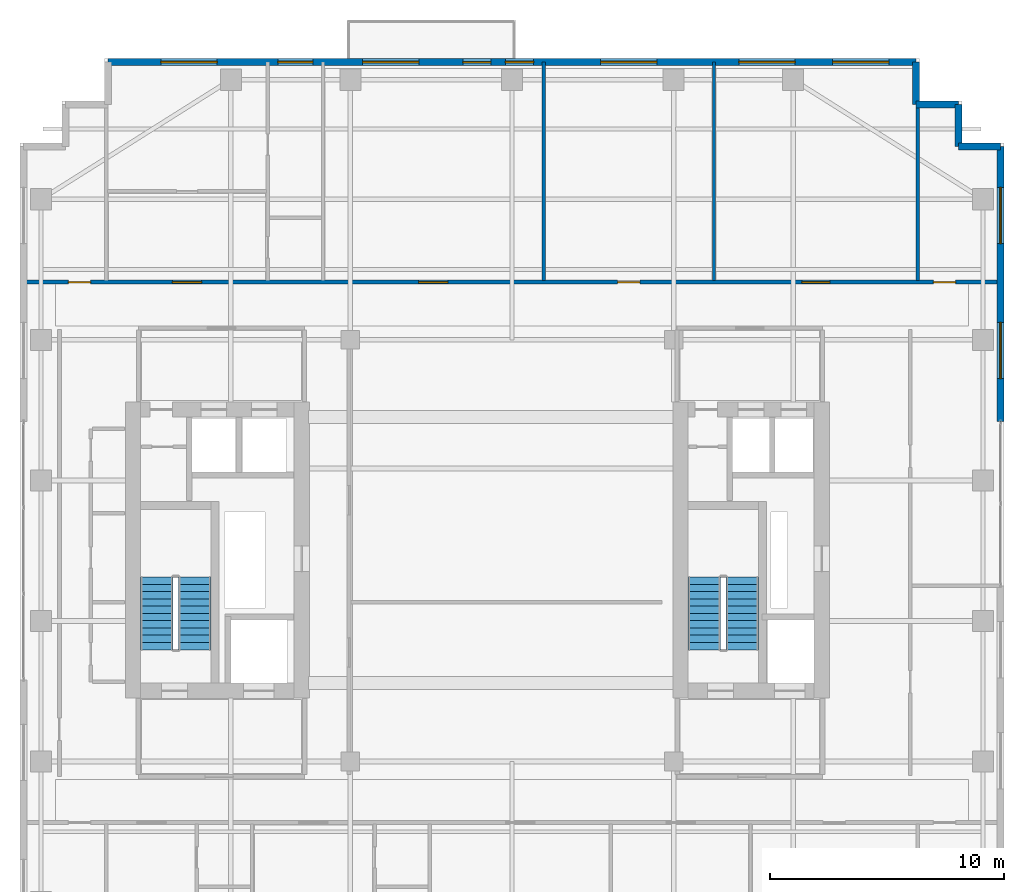
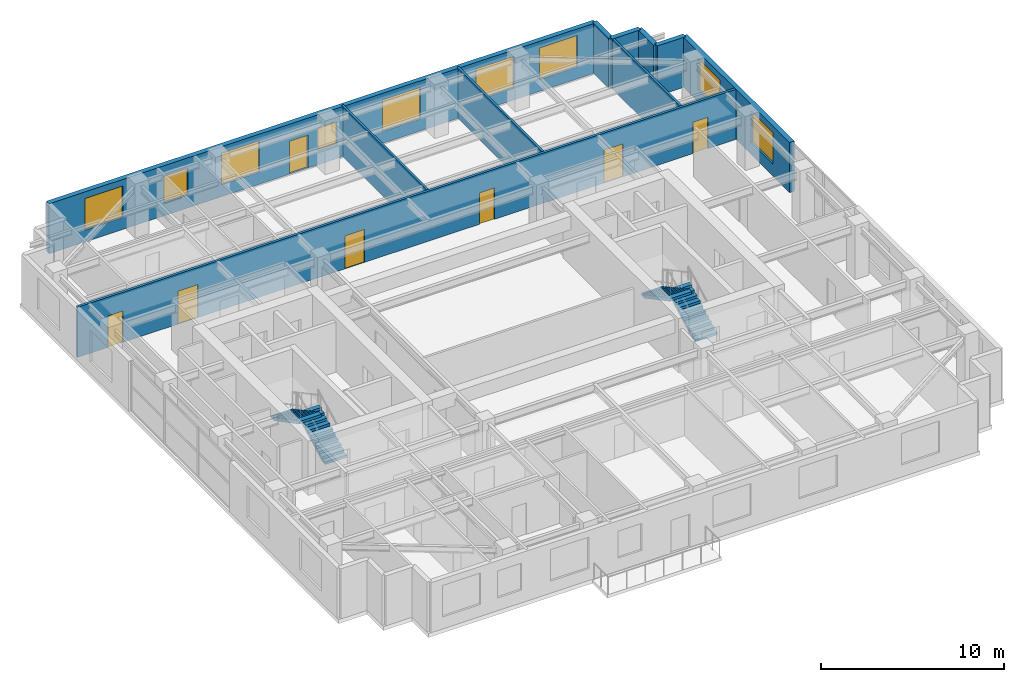
# One storey, part 12 of 15: 10 walls, 9 windows, 7 doors, 4 stair flights, 16 openings, 2 elements without a shape of their own.
"""IFC4 building model written with IfcOpenShell, lengths in metres."""

from ifc_helpers import new_model, si_unit, direction, frame, frame_2d, origin, place, context, subcontext, project, spatial, polyline, rectangle, outline, extrude, source, transform, mapped, material, layer, layer_set, type_object, element, fill, aggregate, save


model = new_model("IFC4")

# Units and contexts
model_context = context("Model", 3, precision=1e-05, world=origin(), true_north=direction((0.0, 1.0)))
body_context = subcontext(model_context, "Body", "Model", "MODEL_VIEW")
ifc_project = project(units=[si_unit("LENGTHUNIT", "METRE"), si_unit("AREAUNIT", "SQUARE_METRE"), si_unit("VOLUMEUNIT", "CUBIC_METRE"), si_unit("PLANEANGLEUNIT", "RADIAN"), si_unit("MASSUNIT", "GRAM", prefix="KILO")], contexts=[model_context])

# Site, building, storey
site_placement = place(None, origin())
site = spatial("IfcSite", under=ifc_project, at=site_placement, CompositionType="ELEMENT")
building_placement = place(site_placement, origin())
building = spatial("IfcBuilding", under=site, at=building_placement, Name="Khoralis Quay Care Tower", CompositionType="ELEMENT")
storey_placement = place(building_placement, frame((0.0, 0.0, 162.89990234375)))
storey = spatial("IfcBuildingStorey", under=building, at=storey_placement, Name="L42", CompositionType="ELEMENT", Elevation=162.89990234375)

# Wall, openings, doors
ifc_material_1 = material(Name="Gypsum plasterboard on acoustic metal stud")
ifc_layer_1 = layer(ifc_material_1, 0.1650390625)
ifc_layer_set_1 = layer_set([ifc_layer_1], Name="Gypsum plasterboard on acoustic metal stud")
wall_type_1 = type_object("IfcWallType", Name="WL-CORR-165", PredefinedType="PARTITIONING", material=ifc_layer_set_1)
wall_1_placement = place(storey_placement, frame((3.14501953125, 32.4599609375, 0.0), z_axis=(0.0, 0.0, 1.0), x_axis=(1.0, 0.0, 0.0)))
wall_1 = element("IfcWall", 1, at=wall_1_placement, inside=storey, type_object=wall_type_1, Name="L42 North Main Corridor Wall", PredefinedType="PARTITIONING", context=body_context, shape_type="SweptSolid", body=[
    extrude(rectangle(XDim=41.7099609375, YDim=0.1650390625, at=frame_2d((20.85498046875, 0.0))), origin(), (0.0, 0.0, 1.0), 3.340087890625),
])
opening_1_placement = place(wall_1_placement, frame((6.360107421875, 0.0, 0.0)))
opening_1 = element("IfcOpeningElement", 2, at=opening_1_placement, cuts=wall_1, Name="Opening CD1", PredefinedType="OPENING", context=body_context, shape_type="SweptSolid", body=[
    extrude(rectangle(XDim=1.25, YDim=2.199951171875, at=frame_2d((0.625, 1.10009765625))), frame((0.0, 0.092529296875, 0.0), z_axis=(0.0, -1.0, 0.0), x_axis=(1.0, 0.0, 0.0)), (0.0, 0.0, 1.0), 0.18505859375),
])
opening_2_placement = place(wall_1_placement, frame((16.8701171875, 0.0, 0.0)))
opening_2 = element("IfcOpeningElement", 3, at=opening_2_placement, cuts=wall_1, Name="Opening CD1", PredefinedType="OPENING", context=body_context, shape_type="SweptSolid", body=[
    extrude(rectangle(XDim=1.25, YDim=2.199951171875, at=frame_2d((0.625, 1.10009765625))), frame((0.0, 0.092529296875, 0.0), z_axis=(0.0, -1.0, 0.0), x_axis=(1.0, 0.0, 0.0)), (0.0, 0.0, 1.0), 0.18505859375),
])
opening_3_placement = place(wall_1_placement, frame((25.364990234375, 0.0, 0.0)))
opening_3 = element("IfcOpeningElement", 4, at=opening_3_placement, cuts=wall_1, Name="Opening ID1", PredefinedType="OPENING", context=body_context, shape_type="SweptSolid", body=[
    extrude(rectangle(XDim=0.949951171875, YDim=2.10009765625, at=frame_2d((0.47509765625, 1.050048828125))), frame((0.0, 0.092529296875, 0.0), z_axis=(0.0, -1.0, 0.0), x_axis=(1.0, 0.0, 0.0)), (0.0, 0.0, 1.0), 0.18505859375),
])
opening_4_placement = place(wall_1_placement, frame((33.22509765625, 0.0, 0.0)))
opening_4 = element("IfcOpeningElement", 5, at=opening_4_placement, cuts=wall_1, Name="Opening FD1", PredefinedType="OPENING", context=body_context, shape_type="SweptSolid", body=[
    extrude(rectangle(XDim=1.199951171875, YDim=2.199951171875, at=frame_2d((0.60009765625, 1.10009765625))), frame((0.0, 0.092529296875, 0.0), z_axis=(0.0, -1.0, 0.0), x_axis=(1.0, 0.0, 0.0)), (0.0, 0.0, 1.0), 0.18505859375),
])
opening_5_placement = place(wall_1_placement, frame((1.919921875, 0.0, 0.0)))
opening_5 = element("IfcOpeningElement", 6, at=opening_5_placement, cuts=wall_1, Name="Opening ID1", PredefinedType="OPENING", context=body_context, shape_type="SweptSolid", body=[
    extrude(rectangle(XDim=0.949951171875, YDim=2.10009765625, at=frame_2d((0.47509765625, 1.050048828125))), frame((0.0, 0.092529296875, 0.0), z_axis=(0.0, -1.0, 0.0), x_axis=(1.0, 0.0, 0.0)), (0.0, 0.0, 1.0), 0.18505859375),
])
opening_6_placement = place(wall_1_placement, frame((38.840087890625, 0.0, 0.0)))
opening_6 = element("IfcOpeningElement", 7, at=opening_6_placement, cuts=wall_1, Name="Opening ID1", PredefinedType="OPENING", context=body_context, shape_type="SweptSolid", body=[
    extrude(rectangle(XDim=0.949951171875, YDim=2.10009765625, at=frame_2d((0.47509765625, 1.050048828125))), frame((0.0, 0.092529296875, 0.0), z_axis=(0.0, -1.0, 0.0), x_axis=(1.0, 0.0, 0.0)), (0.0, 0.0, 1.0), 0.18505859375),
])
ifc_material_2 = material(Name="Fire-rated painted steel", Category="steel")
door_type_1 = type_object("IfcDoorType", Name="DR-FFL-1200X2200", OperationType="NOTDEFINED", PredefinedType="DOOR", material=ifc_material_2)
shared_shape_1 = source(origin(), body_context, "Body", "SweptSolid", [
    extrude(rectangle(XDim=1.199951171875, YDim=2.199951171875, at=frame_2d((0.60009765625, 1.10009765625))), frame((0.0, 0.02490234375, 0.0), z_axis=(0.0, -1.0, 0.0), x_axis=(1.0, 0.0, 0.0)), (0.0, 0.0, 1.0), 0.050048828125),
])
door_1_placement = place(opening_4_placement, origin())
door_1 = element("IfcDoor", 8, at=door_1_placement, inside=storey, type_object=door_type_1, Name="L42 Assisted Communal Dining Room Door", OperationType="DOUBLE_DOOR_SINGLE_SWING", OverallHeight=2.199951171875, OverallWidth=1.199951171875, PredefinedType="DOOR", context=body_context, shape_type="MappedRepresentation", body=[
    mapped(shared_shape_1, transform((0.0, 0.0, 0.0), scale=1.0)),
])
fill(opening_4, door_1)
ifc_material_3 = material(Name="Acoustic hardwood timber", Category="wood")
door_type_2 = type_object("IfcDoorType", Name="DR-CARE-1250X2200", OperationType="NOTDEFINED", PredefinedType="DOOR", material=ifc_material_3)
shared_shape_2 = source(origin(), body_context, "Body", "SweptSolid", [
    extrude(rectangle(XDim=1.25, YDim=2.199951171875, at=frame_2d((0.625, 1.10009765625))), frame((0.0, 0.02490234375, 0.0), z_axis=(0.0, -1.0, 0.0), x_axis=(1.0, 0.0, 0.0)), (0.0, 0.0, 1.0), 0.050048828125),
])
door_2_placement = place(opening_1_placement, origin())
door_2 = element("IfcDoor", 9, at=door_2_placement, inside=storey, type_object=door_type_2, Name="L42 Care Suite NB0 Clinical Door", OperationType="SINGLE_SWING_RIGHT", OverallHeight=2.199951171875, OverallWidth=1.25, PredefinedType="DOOR", context=body_context, shape_type="MappedRepresentation", body=[
    mapped(shared_shape_2, transform((0.0, 0.0, 0.0), scale=1.0)),
])
fill(opening_1, door_2)
door_3_placement = place(opening_2_placement, origin())
door_3 = element("IfcDoor", 10, at=door_3_placement, inside=storey, type_object=door_type_2, Name="L42 Geriatric Consultation Clinic Door", OperationType="SINGLE_SWING_LEFT", OverallHeight=2.199951171875, OverallWidth=1.25, PredefinedType="DOOR", context=body_context, shape_type="MappedRepresentation", body=[
    mapped(shared_shape_2, transform((0.0, 0.0, 0.0), scale=1.0)),
])
fill(opening_2, door_3)
door_type_3 = type_object("IfcDoorType", Name="DR-ROOM-950X2100", OperationType="NOTDEFINED", PredefinedType="DOOR", material=ifc_material_3)
shared_shape_3 = source(origin(), body_context, "Body", "SweptSolid", [
    extrude(rectangle(XDim=0.949951171875, YDim=2.10009765625, at=frame_2d((0.47509765625, 1.050048828125))), frame((0.0, 0.02490234375, 0.0), z_axis=(0.0, -1.0, 0.0), x_axis=(1.0, 0.0, 0.0)), (0.0, 0.0, 1.0), 0.050048828125),
])
door_4_placement = place(opening_3_placement, origin())
door_4 = element("IfcDoor", 11, at=door_4_placement, inside=storey, type_object=door_type_3, Name="L42 Family Case Conference Room Door", OperationType="SINGLE_SWING_LEFT", OverallHeight=2.10009765625, OverallWidth=0.949951171875, PredefinedType="DOOR", context=body_context, shape_type="MappedRepresentation", body=[
    mapped(shared_shape_3, transform((0.0, 0.0, 0.0), scale=1.0)),
])
fill(opening_3, door_4)
door_5_placement = place(opening_5_placement, origin())
door_5 = element("IfcDoor", 12, at=door_5_placement, inside=storey, type_object=door_type_3, Name="L42 NW Corner Door", OperationType="SINGLE_SWING_RIGHT", OverallHeight=2.10009765625, OverallWidth=0.949951171875, PredefinedType="DOOR", context=body_context, shape_type="MappedRepresentation", body=[
    mapped(shared_shape_3, transform((0.0, 0.0, 0.0), scale=1.0)),
])
fill(opening_5, door_5)
door_6_placement = place(opening_6_placement, origin())
door_6 = element("IfcDoor", 13, at=door_6_placement, inside=storey, type_object=door_type_3, Name="L42 NE Corner Door", OperationType="SINGLE_SWING_LEFT", OverallHeight=2.10009765625, OverallWidth=0.949951171875, PredefinedType="DOOR", context=body_context, shape_type="MappedRepresentation", body=[
    mapped(shared_shape_3, transform((0.0, 0.0, 0.0), scale=1.0)),
])
fill(opening_6, door_6)

# Wall, openings, windows
ifc_material_4 = material(Name="Precast concrete C45/55", Category="concrete")
ifc_layer_2 = layer(ifc_material_4, 0.300048828125)
ifc_layer_set_2 = layer_set([ifc_layer_2], Name="Precast concrete C45/55")
wall_type_2 = type_object("IfcWallType", Name="WL-EXT-REF-300", PredefinedType="SOLIDWALL", material=ifc_layer_set_2)
wall_2_placement = place(storey_placement, frame((44.85009765625, 26.52001953125, 0.0), z_axis=(0.0, 0.0, 1.0), x_axis=(0.0, 1.0, 0.0)))
wall_2 = element("IfcWall", 14, at=wall_2_placement, inside=storey, type_object=wall_type_2, Name="L42 External Facade Wall WL-EXT-L42-P1-E5B", PredefinedType="SOLIDWALL", context=body_context, shape_type="SweptSolid", body=[
    extrude(rectangle(XDim=11.72998046875, YDim=0.300048828125, at=frame_2d((5.864990234375, 0.0))), origin(), (0.0, 0.0, 1.0), 3.340087890625),
])
opening_7_placement = place(wall_2_placement, frame((1.820068359375, 0.0, 0.800048828125)))
opening_7 = element("IfcOpeningElement", 15, at=opening_7_placement, cuts=wall_2, Name="Opening W1", PredefinedType="OPENING", context=body_context, shape_type="SweptSolid", body=[
    extrude(rectangle(XDim=2.39990234375, YDim=2.10009765625, at=frame_2d((1.199951171875, 1.050048828125))), frame((0.0, 0.16015625, 0.0), z_axis=(0.0, -1.0, 0.0), x_axis=(1.0, 0.0, 0.0)), (0.0, 0.0, 1.0), 0.320068359375),
])
opening_8_placement = place(wall_2_placement, frame((7.5849609375, 0.0, 0.800048828125)))
opening_8 = element("IfcOpeningElement", 16, at=opening_8_placement, cuts=wall_2, Name="Opening W1", PredefinedType="OPENING", context=body_context, shape_type="SweptSolid", body=[
    extrude(rectangle(XDim=2.39990234375, YDim=2.10009765625, at=frame_2d((1.199951171875, 1.050048828125))), frame((0.0, 0.16015625, 0.0), z_axis=(0.0, -1.0, 0.0), x_axis=(1.0, 0.0, 0.0)), (0.0, 0.0, 1.0), 0.320068359375),
])
ifc_material_5 = material(Name="Low-E solar-control double glazing", Category="glass")
window_type_1 = type_object("IfcWindowType", Name="WN-POD-2400X2100", PartitioningType="SINGLE_PANEL", PredefinedType="WINDOW", material=ifc_material_5)
shared_shape_4 = source(origin(), body_context, "Body", "SweptSolid", [
    extrude(rectangle(XDim=2.39990234375, YDim=2.10009765625, at=frame_2d((1.199951171875, 1.050048828125))), frame((0.0, 0.030029296875, 0.0), z_axis=(0.0, -1.0, 0.0), x_axis=(1.0, 0.0, 0.0)), (0.0, 0.0, 1.0), 0.06005859375),
])
window_1_placement = place(opening_7_placement, origin())
window_1 = element("IfcWindow", 17, at=window_1_placement, inside=storey, type_object=window_type_1, Name="WN-L42-P1-E5B Facade Window 01", OverallHeight=2.10009765625, OverallWidth=2.39990234375, PartitioningType="SINGLE_PANEL", PredefinedType="WINDOW", context=body_context, shape_type="MappedRepresentation", body=[
    mapped(shared_shape_4, transform((0.0, 0.0, 0.0), scale=1.0)),
])
fill(opening_7, window_1)
window_2_placement = place(opening_8_placement, origin())
window_2 = element("IfcWindow", 18, at=window_2_placement, inside=storey, type_object=window_type_1, Name="WN-L42-P1-E5B Facade Window 02", OverallHeight=2.10009765625, OverallWidth=2.39990234375, PartitioningType="SINGLE_PANEL", PredefinedType="WINDOW", context=body_context, shape_type="MappedRepresentation", body=[
    mapped(shared_shape_4, transform((0.0, 0.0, 0.0), scale=1.0)),
])
fill(opening_8, window_2)

# Walls
for number, where, z_axis, x_axis, name in (
    (19, (44.85009765625, 38.25, 0.0), (0.0, 0.0, 1.0), (-1.0, 0.0, 0.0), "L42 External Facade Wall WL-EXT-L42-P1-C6"),
    (20, (43.050048828125, 38.25, 0.0), (0.0, 0.0, 1.0), (0.0, 1.0, 0.0), "L42 External Facade Wall WL-EXT-L42-P1-C7"),
    (21, (43.050048828125, 40.050048828125, 0.0), (0.0, 0.0, 1.0), (-1.0, 0.0, 0.0), "L42 External Facade Wall WL-EXT-L42-P1-C8"),
    (22, (41.25, 40.050048828125, 0.0), (0.0, 0.0, 1.0), (0.0, 1.0, 0.0), "L42 External Facade Wall WL-EXT-L42-P1-C9"),
):
    element("IfcWall", number, at=place(storey_placement, frame(where, z_axis=z_axis, x_axis=x_axis)), inside=storey, type_object=wall_type_2, Name=name, PredefinedType="SOLIDWALL", context=body_context, shape_type="SweptSolid", body=[
        extrude(rectangle(XDim=1.800048828125, YDim=0.300048828125, at=frame_2d((0.89990234375, 0.0))), origin(), (0.0, 0.0, 1.0), 3.340087890625),
    ])

# Wall, openings, windows, door
wall_3_placement = place(storey_placement, frame((41.25, 41.85009765625, 0.0), z_axis=(0.0, 0.0, 1.0), x_axis=(-1.0, 0.0, 0.0)))
wall_3 = element("IfcWall", 23, at=wall_3_placement, inside=storey, type_object=wall_type_2, Name="L42 External Facade Wall WL-EXT-L42-P1-E10", PredefinedType="SOLIDWALL", context=body_context, shape_type="SweptSolid", body=[
    extrude(rectangle(XDim=34.5, YDim=0.300048828125, at=frame_2d((17.25, 0.0))), origin(), (0.0, 0.0, 1.0), 3.340087890625),
])
opening_9_placement = place(wall_3_placement, frame((1.16259765625, 0.0, 0.800048828125)))
opening_9 = element("IfcOpeningElement", 24, at=opening_9_placement, cuts=wall_3, Name="Opening W1", PredefinedType="OPENING", context=body_context, shape_type="SweptSolid", body=[
    extrude(rectangle(XDim=2.39990234375, YDim=2.10009765625, at=frame_2d((1.199951171875, 1.050048828125))), frame((0.0, 0.16015625, 0.0), z_axis=(0.0, -1.0, 0.0), x_axis=(1.0, 0.0, 0.0)), (0.0, 0.0, 1.0), 0.320068359375),
])
opening_10_placement = place(wall_3_placement, frame((5.16748046875, 0.0, 0.800048828125)))
opening_10 = element("IfcOpeningElement", 25, at=opening_10_placement, cuts=wall_3, Name="Opening W1", PredefinedType="OPENING", context=body_context, shape_type="SweptSolid", body=[
    extrude(rectangle(XDim=2.39990234375, YDim=2.10009765625, at=frame_2d((1.199951171875, 1.050048828125))), frame((0.0, 0.16015625, 0.0), z_axis=(0.0, -1.0, 0.0), x_axis=(1.0, 0.0, 0.0)), (0.0, 0.0, 1.0), 0.320068359375),
])
opening_11_placement = place(wall_3_placement, frame((11.06494140625, 0.0, 0.800048828125)))
opening_11 = element("IfcOpeningElement", 26, at=opening_11_placement, cuts=wall_3, Name="Opening W1", PredefinedType="OPENING", context=body_context, shape_type="SweptSolid", body=[
    extrude(rectangle(XDim=2.39990234375, YDim=2.10009765625, at=frame_2d((1.199951171875, 1.050048828125))), frame((0.0, 0.16015625, 0.0), z_axis=(0.0, -1.0, 0.0), x_axis=(1.0, 0.0, 0.0)), (0.0, 0.0, 1.0), 0.320068359375),
])
opening_12_placement = place(wall_3_placement, frame((16.330078125, 0.0, 0.949951171875)))
opening_12 = element("IfcOpeningElement", 27, at=opening_12_placement, cuts=wall_3, Name="Opening W6", PredefinedType="OPENING", context=body_context, shape_type="SweptSolid", body=[
    extrude(rectangle(XDim=1.199951171875, YDim=1.5, at=frame_2d((0.60009765625, 0.75))), frame((0.0, 0.16015625, 0.0), z_axis=(0.0, -1.0, 0.0), x_axis=(1.0, 0.0, 0.0)), (0.0, 0.0, 1.0), 0.320068359375),
])
opening_13_placement = place(wall_3_placement, frame((21.22998046875, 0.0, 0.800048828125)))
opening_13 = element("IfcOpeningElement", 28, at=opening_13_placement, cuts=wall_3, Name="Opening W1", PredefinedType="OPENING", context=body_context, shape_type="SweptSolid", body=[
    extrude(rectangle(XDim=2.39990234375, YDim=2.10009765625, at=frame_2d((1.199951171875, 1.050048828125))), frame((0.0, 0.16015625, 0.0), z_axis=(0.0, -1.0, 0.0), x_axis=(1.0, 0.0, 0.0)), (0.0, 0.0, 1.0), 0.320068359375),
])
opening_14_placement = place(wall_3_placement, frame((25.7451171875, 0.0, 0.85009765625)))
opening_14 = element("IfcOpeningElement", 29, at=opening_14_placement, cuts=wall_3, Name="Opening W3", PredefinedType="OPENING", context=body_context, shape_type="SweptSolid", body=[
    extrude(rectangle(XDim=1.5, YDim=1.800048828125, at=frame_2d((0.75, 0.89990234375))), frame((0.0, 0.16015625, 0.0), z_axis=(0.0, -1.0, 0.0), x_axis=(1.0, 0.0, 0.0)), (0.0, 0.0, 1.0), 0.320068359375),
])
opening_15_placement = place(wall_3_placement, frame((29.8349609375, 0.0, 0.800048828125)))
opening_15 = element("IfcOpeningElement", 30, at=opening_15_placement, cuts=wall_3, Name="Opening W1", PredefinedType="OPENING", context=body_context, shape_type="SweptSolid", body=[
    extrude(rectangle(XDim=2.39990234375, YDim=2.10009765625, at=frame_2d((1.199951171875, 1.050048828125))), frame((0.0, 0.16015625, 0.0), z_axis=(0.0, -1.0, 0.0), x_axis=(1.0, 0.0, 0.0)), (0.0, 0.0, 1.0), 0.320068359375),
])
opening_16_placement = place(wall_3_placement, frame((18.14990234375, 0.0, 0.0)))
opening_16 = element("IfcOpeningElement", 31, at=opening_16_placement, cuts=wall_3, Name="Opening BD1", PredefinedType="OPENING", context=body_context, shape_type="SweptSolid", body=[
    extrude(rectangle(XDim=1.199951171875, YDim=2.199951171875, at=frame_2d((0.60009765625, 1.10009765625))), frame((0.0, 0.16015625, 0.0), z_axis=(0.0, -1.0, 0.0), x_axis=(1.0, 0.0, 0.0)), (0.0, 0.0, 1.0), 0.320068359375),
])
window_type_2 = type_object("IfcWindowType", Name="WN-CLIN-1500X1800", PartitioningType="SINGLE_PANEL", PredefinedType="WINDOW", material=ifc_material_5)
shared_shape_5 = source(origin(), body_context, "Body", "SweptSolid", [
    extrude(rectangle(XDim=1.5, YDim=1.800048828125, at=frame_2d((0.75, 0.89990234375))), frame((0.0, 0.030029296875, 0.0), z_axis=(0.0, -1.0, 0.0), x_axis=(1.0, 0.0, 0.0)), (0.0, 0.0, 1.0), 0.06005859375),
])
window_3_placement = place(opening_14_placement, origin())
window_3 = element("IfcWindow", 32, at=window_3_placement, inside=storey, type_object=window_type_2, Name="WN-L42-P1-E10 Facade Window 06", OverallHeight=1.800048828125, OverallWidth=1.5, PartitioningType="SINGLE_PANEL", PredefinedType="WINDOW", context=body_context, shape_type="MappedRepresentation", body=[
    mapped(shared_shape_5, transform((0.0, 0.0, 0.0), scale=1.0)),
])
fill(opening_14, window_3)
window_4_placement = place(opening_9_placement, origin())
window_4 = element("IfcWindow", 33, at=window_4_placement, inside=storey, type_object=window_type_1, Name="WN-L42-P1-E10 Facade Window 01", OverallHeight=2.10009765625, OverallWidth=2.39990234375, PartitioningType="SINGLE_PANEL", PredefinedType="WINDOW", context=body_context, shape_type="MappedRepresentation", body=[
    mapped(shared_shape_4, transform((0.0, 0.0, 0.0), scale=1.0)),
])
fill(opening_9, window_4)
window_5_placement = place(opening_10_placement, origin())
window_5 = element("IfcWindow", 34, at=window_5_placement, inside=storey, type_object=window_type_1, Name="WN-L42-P1-E10 Facade Window 02", OverallHeight=2.10009765625, OverallWidth=2.39990234375, PartitioningType="SINGLE_PANEL", PredefinedType="WINDOW", context=body_context, shape_type="MappedRepresentation", body=[
    mapped(shared_shape_4, transform((0.0, 0.0, 0.0), scale=1.0)),
])
fill(opening_10, window_5)
window_6_placement = place(opening_11_placement, origin())
window_6 = element("IfcWindow", 35, at=window_6_placement, inside=storey, type_object=window_type_1, Name="WN-L42-P1-E10 Facade Window 03", OverallHeight=2.10009765625, OverallWidth=2.39990234375, PartitioningType="SINGLE_PANEL", PredefinedType="WINDOW", context=body_context, shape_type="MappedRepresentation", body=[
    mapped(shared_shape_4, transform((0.0, 0.0, 0.0), scale=1.0)),
])
fill(opening_11, window_6)
window_7_placement = place(opening_13_placement, origin())
window_7 = element("IfcWindow", 36, at=window_7_placement, inside=storey, type_object=window_type_1, Name="WN-L42-P1-E10 Facade Window 05", OverallHeight=2.10009765625, OverallWidth=2.39990234375, PartitioningType="SINGLE_PANEL", PredefinedType="WINDOW", context=body_context, shape_type="MappedRepresentation", body=[
    mapped(shared_shape_4, transform((0.0, 0.0, 0.0), scale=1.0)),
])
fill(opening_13, window_7)
window_8_placement = place(opening_15_placement, origin())
window_8 = element("IfcWindow", 37, at=window_8_placement, inside=storey, type_object=window_type_1, Name="WN-L42-P1-E10 Facade Window 07", OverallHeight=2.10009765625, OverallWidth=2.39990234375, PartitioningType="SINGLE_PANEL", PredefinedType="WINDOW", context=body_context, shape_type="MappedRepresentation", body=[
    mapped(shared_shape_4, transform((0.0, 0.0, 0.0), scale=1.0)),
])
fill(opening_15, window_8)
window_type_3 = type_object("IfcWindowType", Name="WN-SCH-1200X1500", PartitioningType="SINGLE_PANEL", PredefinedType="WINDOW", material=ifc_material_5)
shared_shape_6 = source(origin(), body_context, "Body", "SweptSolid", [
    extrude(rectangle(XDim=1.199951171875, YDim=1.5, at=frame_2d((0.60009765625, 0.75))), frame((0.0, 0.030029296875, 0.0), z_axis=(0.0, -1.0, 0.0), x_axis=(1.0, 0.0, 0.0)), (0.0, 0.0, 1.0), 0.06005859375),
])
window_9_placement = place(opening_12_placement, origin())
window_9 = element("IfcWindow", 38, at=window_9_placement, inside=storey, type_object=window_type_3, Name="WN-L42-P1-E10 Facade Window 04", OverallHeight=1.5, OverallWidth=1.199951171875, PartitioningType="SINGLE_PANEL", PredefinedType="WINDOW", context=body_context, shape_type="MappedRepresentation", body=[
    mapped(shared_shape_6, transform((0.0, 0.0, 0.0), scale=1.0)),
])
fill(opening_12, window_9)
ifc_material_6 = material(Name="Anodised aluminium and laminated safety glass", Category="aluminium")
door_type_4 = type_object("IfcDoorType", Name="DR-EXT-BALC-1200X2200", OperationType="NOTDEFINED", PredefinedType="DOOR", material=ifc_material_6)
shared_shape_7 = source(origin(), body_context, "Body", "SweptSolid", [
    extrude(rectangle(XDim=1.199951171875, YDim=2.199951171875, at=frame_2d((0.60009765625, 1.10009765625))), frame((0.0, 0.02490234375, 0.0), z_axis=(0.0, -1.0, 0.0), x_axis=(1.0, 0.0, 0.0)), (0.0, 0.0, 1.0), 0.050048828125),
])
door_7_placement = place(opening_16_placement, frame((1.199951171875, 0.0, 0.0), z_axis=(0.0, 0.0, 1.0), x_axis=(-1.0, 0.0, 0.0)))
door_7 = element("IfcDoor", 39, at=door_7_placement, inside=storey, type_object=door_type_4, Name="L42 Senior Loggia Balcony Door", OperationType="SINGLE_SWING_LEFT", OverallHeight=2.199951171875, OverallWidth=1.199951171875, PredefinedType="DOOR", context=body_context, shape_type="MappedRepresentation", body=[
    mapped(shared_shape_7, transform((0.0, 0.0, 0.0), scale=1.0)),
])
fill(opening_16, door_7)

# Walls
ifc_layer_3 = layer(ifc_material_1, 0.139892578125)
ifc_layer_set_3 = layer_set([ifc_layer_3], Name="Gypsum plasterboard on acoustic metal stud")
wall_type_3 = type_object("IfcWallType", Name="WL-UNIT-140", PredefinedType="PARTITIONING", material=ifc_layer_set_3)
for number, where, z_axis, x_axis, name in (
    (40, (25.35009765625, 32.53759765625, 0.0), (0.0, 0.0, 1.0), (0.0, 1.0, 0.0), "L42 NB Demising Wall 2"),
    (41, (32.6201171875, 32.53759765625, 0.0), (0.0, 0.0, 1.0), (0.0, 1.0, 0.0), "L42 NB Demising Wall 3"),
):
    element("IfcWall", number, at=place(storey_placement, frame(where, z_axis=z_axis, x_axis=x_axis)), inside=storey, type_object=wall_type_3, Name=name, PredefinedType="PARTITIONING", context=body_context, shape_type="SweptSolid", body=[
        extrude(rectangle(XDim=9.3173828125, YDim=0.139892578125, at=frame_2d((4.65869140625, 0.0))), origin(), (0.0, 0.0, 1.0), 3.340087890625),
    ])
wall_4_placement = place(storey_placement, frame((41.320068359375, 32.53759765625, 0.0), z_axis=(0.0, 0.0, 1.0), x_axis=(0.0, 1.0, 0.0)))
element("IfcWall", 42, at=wall_4_placement, inside=storey, type_object=wall_type_3, Name="L42 NB Demising Wall 4", PredefinedType="PARTITIONING", context=body_context, shape_type="SweptSolid", body=[
    extrude(rectangle(XDim=7.517333984375, YDim=0.139892578125, at=frame_2d((3.7587890625, 0.0))), origin(), (0.0, 0.0, 1.0), 3.340087890625),
])

# Stair, stair flights
stair_type = type_object("IfcStairType", Name="ST-TWR-DOGLEG-1400", PredefinedType="HALF_TURN_STAIR", material=ifc_material_4)
stair_1_placement = place(storey_placement, origin())
stair_1 = element("IfcStair", 43, at=stair_1_placement, inside=storey, type_object=stair_type, Name="L42 West Core Exit Stair ST-T1", PredefinedType="HALF_TURN_STAIR")
stair_flight_type = type_object("IfcStairFlightType", Name="SF-TWR-1400", PredefinedType="STRAIGHT", material=ifc_material_4)
shared_shape_8 = source(origin(), body_context, "Body", "SweptSolid", [
    extrude(outline(polyline([(0.0, 0.0), (0.0, 0.16357421875), (0.31005859375, 0.16357421875), (0.31005859375, 0.327392578125), (0.6201171875, 0.327392578125), (0.6201171875, 0.490966796875), (0.929931640625, 0.490966796875), (0.929931640625, 0.654541015625), (1.239990234375, 0.654541015625), (1.239990234375, 0.818115234375), (1.550048828125, 0.818115234375), (1.550048828125, 0.98193359375), (1.860107421875, 0.98193359375), (1.860107421875, 1.1455078125), (2.169921875, 1.1455078125), (2.169921875, 1.30908203125), (2.47998046875, 1.30908203125), (2.47998046875, 1.47265625), (2.7900390625, 1.47265625), (2.7900390625, 1.636474609375), (3.10009765625, 1.636474609375), (3.10009765625, 1.800048828125), (3.10009765625, 1.466796875), (0.321044921875, 0.0), (0.0, 0.0)])), frame((0.0, 0.68994140625, 0.0), z_axis=(0.0, -1.0, 0.0), x_axis=(1.0, 0.0, 0.0)), (0.0, 0.0, 1.0), 1.3798828125),
])
stair_flight_1_placement = place(storey_placement, frame((10.4599609375, 16.77001953125, 0.0), z_axis=(0.0, 0.0, 1.0), x_axis=(0.0, 1.0, 0.0)))
stair_flight_1 = element("IfcStairFlight", 44, at=stair_flight_1_placement, type_object=stair_flight_type, Name="ST-T1 flight 1", NumberOfRisers=11, NumberOfTreads=10, PredefinedType="STRAIGHT", RiserHeight=0.163636364, TreadLength=0.31, context=body_context, shape_type="MappedRepresentation", body=[
    mapped(shared_shape_8, transform((0.0, 0.0, 0.0), scale=1.0)),
])
stair_flight_2_placement = place(storey_placement, frame((8.840087890625, 19.8701171875, 1.800048828125), z_axis=(0.0, 0.0, 1.0), x_axis=(0.0, -1.0, 0.0)))
stair_flight_2 = element("IfcStairFlight", 45, at=stair_flight_2_placement, type_object=stair_flight_type, Name="ST-T1 flight 2", NumberOfRisers=11, NumberOfTreads=10, PredefinedType="STRAIGHT", RiserHeight=0.163636364, TreadLength=0.31, context=body_context, shape_type="MappedRepresentation", body=[
    mapped(shared_shape_8, transform((0.0, 0.0, 0.0), scale=1.0)),
])
aggregate(stair_1, [stair_flight_1, stair_flight_2])

stair_2_placement = place(storey_placement, origin())
stair_2 = element("IfcStair", 46, at=stair_2_placement, inside=storey, type_object=stair_type, Name="L42 East Core Exit Stair ST-T2", PredefinedType="HALF_TURN_STAIR")
stair_flight_3_placement = place(storey_placement, frame((33.830078125, 16.77001953125, 0.0), z_axis=(0.0, 0.0, 1.0), x_axis=(0.0, 1.0, 0.0)))
stair_flight_3 = element("IfcStairFlight", 47, at=stair_flight_3_placement, type_object=stair_flight_type, Name="ST-T2 flight 1", NumberOfRisers=11, NumberOfTreads=10, PredefinedType="STRAIGHT", RiserHeight=0.163636364, TreadLength=0.31, context=body_context, shape_type="MappedRepresentation", body=[
    mapped(shared_shape_8, transform((0.0, 0.0, 0.0), scale=1.0)),
])
stair_flight_4_placement = place(storey_placement, frame((32.2099609375, 19.8701171875, 1.800048828125), z_axis=(0.0, 0.0, 1.0), x_axis=(0.0, -1.0, 0.0)))
stair_flight_4 = element("IfcStairFlight", 48, at=stair_flight_4_placement, type_object=stair_flight_type, Name="ST-T2 flight 2", NumberOfRisers=11, NumberOfTreads=10, PredefinedType="STRAIGHT", RiserHeight=0.163636364, TreadLength=0.31, context=body_context, shape_type="MappedRepresentation", body=[
    mapped(shared_shape_8, transform((0.0, 0.0, 0.0), scale=1.0)),
])
aggregate(stair_2, [stair_flight_3, stair_flight_4])

save(model, "model.ifc")
